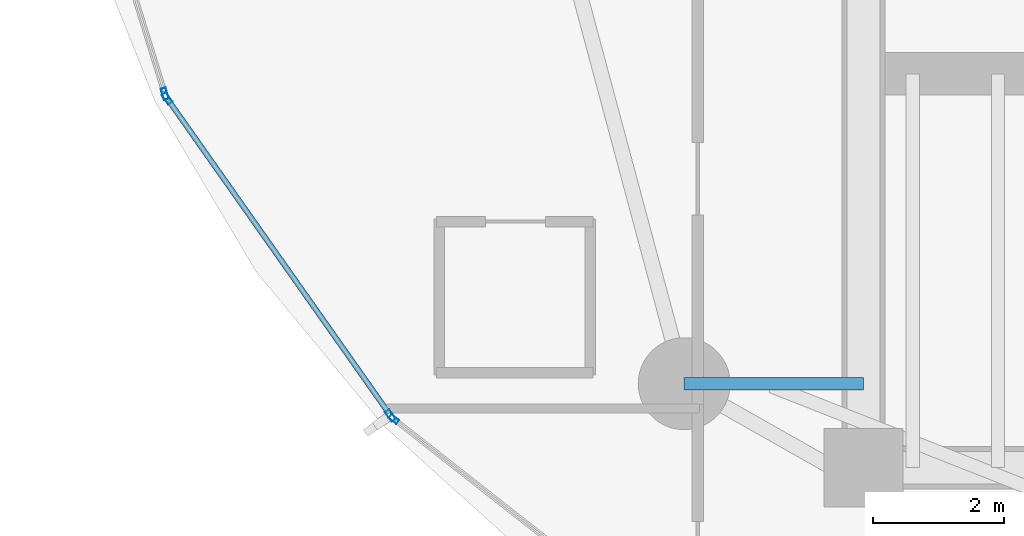
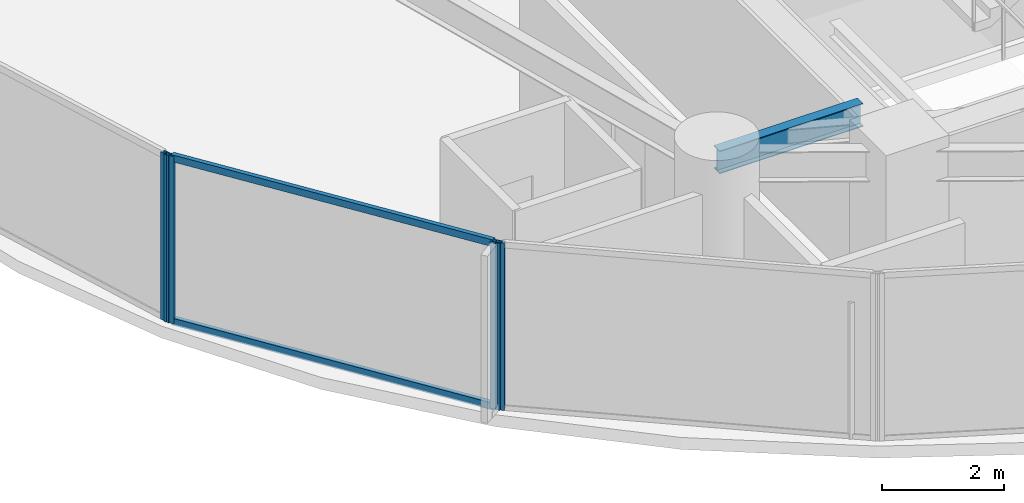
# One storey, part 3 of 33: 6 members, 1 beam, 3 elements without a shape of their own.
"""IFC4 building model written with IfcOpenShell, lengths in metres."""

from ifc_helpers import new_model, si_unit, direction, frame, origin, origin_2d, place, context, subcontext, project, spatial, hollow_rectangle, i_section, extrude, material, layer, layer_set, material_profile, profile_set, type_object, element, aggregate, save


model = new_model("IFC4")

# Units and contexts
model_context = context("Model", 3, precision=1e-05, world=origin(), true_north=direction((0.0, 1.0)))
body_context = subcontext(model_context, "Body", "Model", "MODEL_VIEW")
ifc_project = project(units=[si_unit("LENGTHUNIT", "METRE"), si_unit("AREAUNIT", "SQUARE_METRE"), si_unit("VOLUMEUNIT", "CUBIC_METRE"), si_unit("PLANEANGLEUNIT", "RADIAN"), si_unit("MASSUNIT", "GRAM", prefix="KILO")], contexts=[model_context])

# Site, building, storey
site_placement = place(None, origin())
site = spatial("IfcSite", under=ifc_project, at=site_placement, CompositionType="ELEMENT")
building_placement = place(site_placement, origin())
building = spatial("IfcBuilding", under=site, at=building_placement, Name="Kazevale Care Tower and Concert Hall", CompositionType="ELEMENT")
storey_placement = place(building_placement, frame((0.0, 0.0, 52.800048828125)))
storey = spatial("IfcBuildingStorey", under=building, at=storey_placement, Name="L13", CompositionType="ELEMENT", Elevation=52.800048828125)

# Curtain wall, members
ifc_material_1 = material(Name="Aluminium 6063-T6 and Low-E Glass", Category="aluminium")
ifc_layer_1 = layer(ifc_material_1, 0.179931640625)
ifc_layer_set_1 = layer_set([ifc_layer_1], Name="Aluminium 6063-T6 and Low-E Glass")
curtain_wall_type_1 = type_object("IfcCurtainWallType", Name="Waist & Upper Residential Curtain Wall CW-4", PredefinedType="NOTDEFINED", material=ifc_layer_set_1)
curtain_wall_1_placement = place(storey_placement, origin())
curtain_wall_1 = element("IfcCurtainWall", 1, at=curtain_wall_1_placement, inside=storey, type_object=curtain_wall_type_1, Name="cw:L13:f11", PredefinedType="NOTDEFINED")
ifc_material_2 = material(Name="Aluminium 6063-T6", Category="aluminium")
ifc_material_profile_1 = material_profile(ifc_material_2, hollow_rectangle(XDim=0.080078125, YDim=0.179931640625, WallThickness=0.0048828125, at=origin_2d()), Name="ALU80x180x5")
ifc_profile_set_1 = profile_set([ifc_material_profile_1], Name="Aluminium 6063-T6")
member_type_1 = type_object("IfcMemberType", Name="CW-4 Mullion ALU80x180x5", PredefinedType="MULLION", material=ifc_profile_set_1)
member_1_placement = place(storey_placement, frame((14.794921875, 24.396728515625, 0.0), z_axis=(0.0, 0.0, 1.0), x_axis=(-0.817564654583, -0.575836813322, 0.0)))
member_1 = element("IfcMember", 2, at=member_1_placement, type_object=member_type_1, Name="CW-4 mullion 1", PredefinedType="MULLION", context=body_context, shape_type="SweptSolid", body=[
    extrude(hollow_rectangle(XDim=0.080078125, YDim=0.179931640625, WallThickness=0.0048828125, at=origin_2d()), origin(), (0.0, 0.0, 1.0), 3.35986328125),
])
member_2_placement = place(storey_placement, frame((11.39404296875, 29.225341796875, 0.0), z_axis=(0.0, 0.0, 1.0), x_axis=(-0.817564654583, -0.575836813322, 0.0)))
member_2 = element("IfcMember", 3, at=member_2_placement, type_object=member_type_1, Name="CW-4 mullion 2", PredefinedType="MULLION", context=body_context, shape_type="SweptSolid", body=[
    extrude(hollow_rectangle(XDim=0.080078125, YDim=0.179931640625, WallThickness=0.0048828125, at=origin_2d()), origin(), (0.0, 0.0, 1.0), 3.35986328125),
])

# Curtain wall, member
curtain_wall_2_placement = place(storey_placement, origin())
curtain_wall_2 = element("IfcCurtainWall", 4, at=curtain_wall_2_placement, inside=storey, type_object=curtain_wall_type_1, Name="cw:L13:f12", PredefinedType="NOTDEFINED")
member_3_placement = place(storey_placement, frame((11.359130859375, 29.296142578125, 0.0), z_axis=(0.0, 0.0, 1.0), x_axis=(-0.955157326175, -0.296098771112, 0.0)))
member_3 = element("IfcMember", 5, at=member_3_placement, type_object=member_type_1, Name="CW-4 mullion 1", PredefinedType="MULLION", context=body_context, shape_type="SweptSolid", body=[
    extrude(hollow_rectangle(XDim=0.080078125, YDim=0.179931640625, WallThickness=0.0048828125, at=origin_2d()), origin(), (0.0, 0.0, 1.0), 3.35986328125),
])
aggregate(curtain_wall_2, [member_3])

# Member
ifc_material_profile_2 = material_profile(ifc_material_2, hollow_rectangle(XDim=0.080078125, YDim=0.139892578125, WallThickness=0.00390625, at=origin_2d()), Name="ALU80x140x4")
ifc_profile_set_2 = profile_set([ifc_material_profile_2], Name="Aluminium 6063-T6")
member_type_2 = type_object("IfcMemberType", Name="CW-4 Transom ALU80x140x4", PredefinedType="USERDEFINED", material=ifc_profile_set_2)
member_4_placement = place(storey_placement, frame((14.77197265625, 24.429443359375, 0.0400390625), z_axis=(-0.575850423039, 0.817555068657, 0.0), x_axis=(-0.817555068657, -0.575850423039, 0.0)))
member_4 = element("IfcMember", 6, at=member_4_placement, type_object=member_type_2, Name="CW-4 transom 1.1", ObjectType="TRANSOM", PredefinedType="USERDEFINED", context=body_context, shape_type="SweptSolid", body=[
    extrude(hollow_rectangle(XDim=0.080078125, YDim=0.139892578125, WallThickness=0.00390625, at=origin_2d()), origin(), (0.0, 0.0, 1.0), 5.826171875),
])

member_5_placement = place(storey_placement, frame((14.77197265625, 24.429443359375, 3.320068359375), z_axis=(-0.575850423039, 0.817555068657, 0.0), x_axis=(-0.817555068657, -0.575850423039, 0.0)))
member_5 = element("IfcMember", 7, at=member_5_placement, type_object=member_type_2, Name="CW-4 transom 1.2", ObjectType="TRANSOM", PredefinedType="USERDEFINED", context=body_context, shape_type="SweptSolid", body=[
    extrude(hollow_rectangle(XDim=0.080078125, YDim=0.139892578125, WallThickness=0.00390625, at=origin_2d()), origin(), (0.0, 0.0, 1.0), 5.826171875),
])

aggregate(curtain_wall_1, [member_1, member_2, member_4, member_5])

# Curtain wall, member
ifc_layer_2 = layer(ifc_material_1, 0.179931640625)
ifc_layer_set_2 = layer_set([ifc_layer_2], Name="Aluminium 6063-T6 and Low-E Glass")
curtain_wall_type_2 = type_object("IfcCurtainWallType", Name="Sheltered Concave Balcony Curtain Wall CW-5", PredefinedType="NOTDEFINED", material=ifc_layer_set_2)
curtain_wall_3_placement = place(storey_placement, origin())
curtain_wall_3 = element("IfcCurtainWall", 8, at=curtain_wall_3_placement, inside=storey, type_object=curtain_wall_type_2, Name="cw:L13:f10", PredefinedType="NOTDEFINED")
ifc_material_profile_3 = material_profile(ifc_material_2, hollow_rectangle(XDim=0.074951171875, YDim=0.14990234375, WallThickness=0.00390625, at=origin_2d()), Name="ALU75x150x4")
ifc_profile_set_3 = profile_set([ifc_material_profile_3], Name="Aluminium 6063-T6")
member_type_3 = type_object("IfcMemberType", Name="CW-5 Mullion ALU75x150x4", PredefinedType="MULLION", material=ifc_profile_set_3)
member_6_placement = place(storey_placement, frame((14.847412109375, 24.3408203125, 0.0), z_axis=(0.0, 0.0, 1.0), x_axis=(-0.617807548814, -0.78632934107, 0.0)))
member_6 = element("IfcMember", 9, at=member_6_placement, type_object=member_type_3, Name="CW-5 mullion 2", PredefinedType="MULLION", context=body_context, shape_type="SweptSolid", body=[
    extrude(hollow_rectangle(XDim=0.074951171875, YDim=0.14990234375, WallThickness=0.00390625, at=origin_2d()), origin(), (0.0, 0.0, 1.0), 3.35986328125),
])
aggregate(curtain_wall_3, [member_6])

# Beam
ifc_material_3 = material(Name="Steel ASTM A572 Gr 50", Category="steel")
ifc_material_profile_4 = material_profile(ifc_material_3, i_section(OverallWidth=0.19091796875, OverallDepth=0.4599609375, WebThickness=0.010009765625, FlangeThickness=0.01611328125, at=origin_2d()), Name="W460x82")
ifc_profile_set_4 = profile_set([ifc_material_profile_4], Name="Steel ASTM A572 Gr 50")
beam_type = type_object("IfcBeamType", Name="Radial Floor Beam W460x82", PredefinedType="BEAM", material=ifc_profile_set_4)
beam_placement = place(storey_placement, frame((22.0, 24.8798828125, 3.1298828125), z_axis=(-1.0, 0.0, 0.0), x_axis=(0.0, -1.0, 0.0)))
element("IfcBeam", 10, at=beam_placement, inside=storey, type_object=beam_type, Name="beam:L13:rad:10", PredefinedType="BEAM", context=body_context, shape_type="SweptSolid", body=[
    extrude(i_section(OverallWidth=0.19091796875, OverallDepth=0.4599609375, WebThickness=0.010009765625, FlangeThickness=0.01611328125, at=origin_2d()), origin(), (0.0, 0.0, 1.0), 2.72998046875),
])

save(model, "model.ifc")
